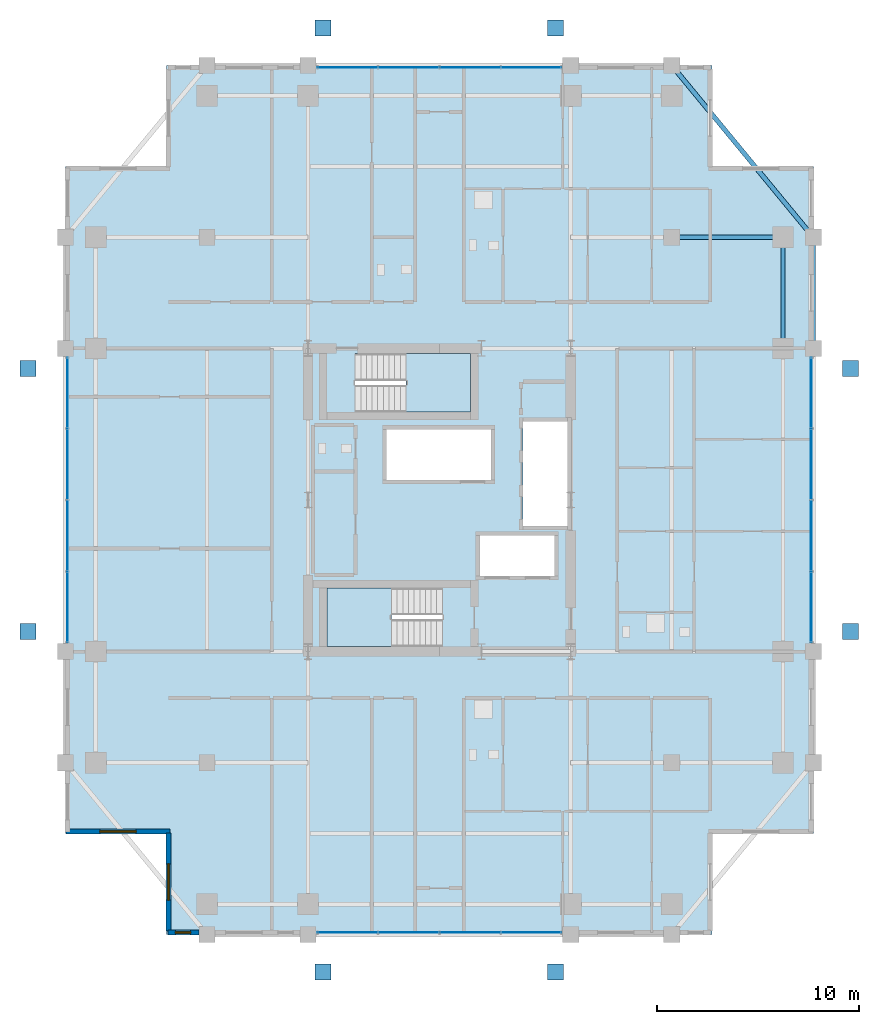
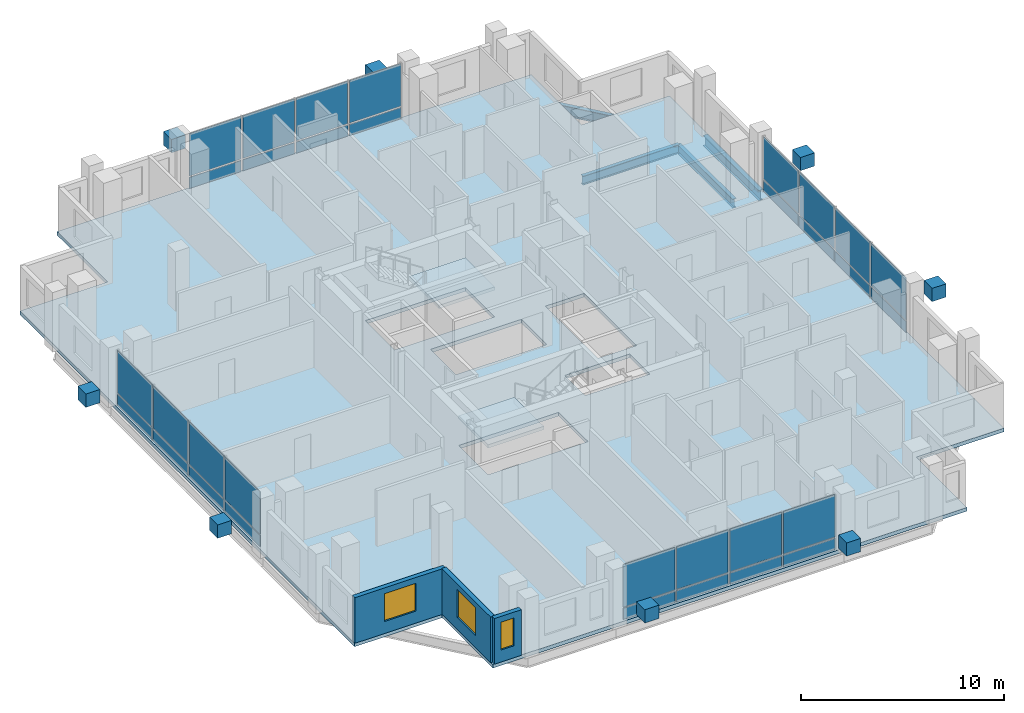
# One storey, part 17 of 24: 40 plates, 4 beams, 3 slabs, 3 walls, 3 windows, 3 openings, 6 elements without a shape of their own.
"""IFC4 building model written with IfcOpenShell, lengths in metres."""

from ifc_helpers import new_model, si_unit, direction, frame, frame_2d, origin, origin_2d, place, context, subcontext, project, spatial, polyline, rectangle, i_section, outline, extrude, material, layer, layer_set, material_profile, profile_set, type_object, element, fill, aggregate, save


model = new_model("IFC4")

# Units and contexts
model_context = context("Model", 3, precision=1e-05, world=origin(), true_north=direction((0.0, 1.0)))
body_context = subcontext(model_context, "Body", "Model", "MODEL_VIEW")
ifc_project = project(units=[si_unit("LENGTHUNIT", "METRE"), si_unit("AREAUNIT", "SQUARE_METRE"), si_unit("VOLUMEUNIT", "CUBIC_METRE"), si_unit("PLANEANGLEUNIT", "RADIAN"), si_unit("MASSUNIT", "GRAM", prefix="KILO")], contexts=[model_context])

# Site, building, storey
site_placement = place(None, origin())
site = spatial("IfcSite", under=ifc_project, at=site_placement, CompositionType="ELEMENT")
building_placement = place(site_placement, origin())
building = spatial("IfcBuilding", under=site, at=building_placement, Name="Barlavira Tower and Art Museum", CompositionType="ELEMENT")
storey_placement = place(building_placement, frame((0.0, 0.0, 180.0)))
storey = spatial("IfcBuildingStorey", under=building, at=storey_placement, Name="L46", CompositionType="ELEMENT", Elevation=180.0)

# Beams
ifc_material_1 = material(Name="Steel S355", Category="steel")
ifc_material_profile_1 = material_profile(ifc_material_1, i_section(OverallWidth=0.22998046875, OverallDepth=0.616943359375, WebThickness=0.01318359375, FlangeThickness=0.022216796875, at=origin_2d()), Name="W610x140.0")
ifc_profile_set_1 = profile_set([ifc_material_profile_1], Name="Steel S355")
beam_type_1 = type_object("IfcBeamType", Name="Upper Shaft Spandrel Edge Beam W610x140 Steel S355", PredefinedType="SPANDREL", material=ifc_profile_set_1)
beam_1_placement = place(storey_placement, frame((18.5, 7.5, -0.528564453125), z_axis=(0.0, 1.0, 0.0), x_axis=(-1.0, 0.0, 0.0)))
element("IfcBeam", 1, at=beam_1_placement, inside=storey, type_object=beam_type_1, Name="L46 Spandrel 7", PredefinedType="SPANDREL", context=body_context, shape_type="SweptSolid", body=[
    extrude(i_section(OverallWidth=0.22998046875, OverallDepth=0.616943359375, WebThickness=0.01318359375, FlangeThickness=0.022216796875, at=origin_2d()), origin(), (0.0, 0.0, 1.0), 5.5),
])
beam_2_placement = place(storey_placement, frame((18.5, 13.0, -0.528564453125), z_axis=(-0.635707252861, 0.771930235617, 0.0), x_axis=(-0.771930235617, -0.635707252861, 0.0)))
element("IfcBeam", 2, at=beam_2_placement, inside=storey, type_object=beam_type_1, Name="L46 Spandrel 8", PredefinedType="SPANDREL", context=body_context, shape_type="SweptSolid", body=[
    extrude(i_section(OverallWidth=0.22998046875, OverallDepth=0.616943359375, WebThickness=0.01318359375, FlangeThickness=0.022216796875, at=origin_2d()), origin(), (0.0, 0.0, 1.0), 11.011474609375),
])
ifc_material_profile_2 = material_profile(ifc_material_1, i_section(OverallWidth=0.2109375, OverallDepth=0.5390625, WebThickness=0.01171875, FlangeThickness=0.018798828125, at=origin_2d()), Name="W530x109.0")
ifc_profile_set_2 = profile_set([ifc_material_profile_2], Name="Steel S355")
beam_type_2 = type_object("IfcBeamType", Name="Zone 3-4 Primary Floor Girder W530x109 Steel S355", PredefinedType="BEAM", material=ifc_profile_set_2)
for number, where, z_axis, x_axis, name in (
    (3, (17.0, 7.5, -0.489501953125), (0.0, 1.0, 0.0), (-1.0, 0.0, 0.0), "L46 Girder M-E3"),
    (4, (11.5, 13.0, -0.489501953125), (1.0, 0.0, 0.0), (0.0, 1.0, 0.0), "L46 Girder I-N4"),
):
    element("IfcBeam", number, at=place(storey_placement, frame(where, z_axis=z_axis, x_axis=x_axis)), inside=storey, type_object=beam_type_2, Name=name, PredefinedType="BEAM", context=body_context, shape_type="SweptSolid", body=[
        extrude(i_section(OverallWidth=0.2109375, OverallDepth=0.5390625, WebThickness=0.01171875, FlangeThickness=0.018798828125, at=origin_2d()), origin(), (0.0, 0.0, 1.0), 5.5),
    ])

# Curtain wall, plates
ifc_material_2 = material(Name="Low-iron coastal laminated glass", Category="glass")
ifc_layer_1 = layer(ifc_material_2, 0.199951171875, Name="Low-iron coastal laminated glass")
ifc_layer_set_1 = layer_set([ifc_layer_1], Name="Low-iron coastal laminated glass")
curtain_wall_type = type_object("IfcCurtainWallType", Name="Pale-Metal Unitised Curtain Wall Zone 3", PredefinedType="NOTDEFINED", material=ifc_layer_set_1)
curtain_wall_1_placement = place(storey_placement, origin())
curtain_wall_1 = element("IfcCurtainWall", 5, at=curtain_wall_1_placement, inside=storey, type_object=curtain_wall_type, Name="L46 Curtain Wall CW3-L46-S-B3", PredefinedType="NOTDEFINED")
ifc_material_3 = material(Name="Pale anodised aluminium", Category="aluminium")
ifc_layer_2 = layer(ifc_material_3, 0.044921875, Name="Pale anodised aluminium")
ifc_layer_set_2 = layer_set([ifc_layer_2], Name="Pale anodised aluminium")
plate_type_1 = type_object("IfcPlateType", Name="Curtain Wall Pale-Metal Spandrel Panel 45", PredefinedType="CURTAIN_PANEL", material=ifc_layer_set_2)
plate_1_placement = place(storey_placement, frame((-4.56005859375, -21.39990234375, 0.0400390625), z_axis=(0.0, 0.0, 1.0), x_axis=(1.0, 0.0, 0.0)))
plate_1 = element("IfcPlate", 6, at=plate_1_placement, type_object=plate_type_1, Name="CW3-L46-S-B3 Spandrel Panel 0", PredefinedType="CURTAIN_PANEL", context=body_context, shape_type="SweptSolid", body=[
    extrude(rectangle(XDim=2.93994140625, YDim=0.044921875, at=origin_2d()), origin(), (0.0, 0.0, 1.0), 0.6640625),
])
plate_2_placement = place(storey_placement, frame((-1.52001953125, -21.39990234375, 0.0400390625), z_axis=(0.0, 0.0, 1.0), x_axis=(1.0, 0.0, 0.0)))
plate_2 = element("IfcPlate", 7, at=plate_2_placement, type_object=plate_type_1, Name="CW3-L46-S-B3 Spandrel Panel 1", PredefinedType="CURTAIN_PANEL", context=body_context, shape_type="SweptSolid", body=[
    extrude(rectangle(XDim=2.93994140625, YDim=0.044921875, at=origin_2d()), origin(), (0.0, 0.0, 1.0), 0.6640625),
])
plate_3_placement = place(storey_placement, frame((1.52001953125, -21.39990234375, 0.0400390625), z_axis=(0.0, 0.0, 1.0), x_axis=(1.0, 0.0, 0.0)))
plate_3 = element("IfcPlate", 8, at=plate_3_placement, type_object=plate_type_1, Name="CW3-L46-S-B3 Spandrel Panel 2", PredefinedType="CURTAIN_PANEL", context=body_context, shape_type="SweptSolid", body=[
    extrude(rectangle(XDim=2.93994140625, YDim=0.044921875, at=origin_2d()), origin(), (0.0, 0.0, 1.0), 0.6640625),
])
plate_4_placement = place(storey_placement, frame((4.56005859375, -21.39990234375, 0.0400390625), z_axis=(0.0, 0.0, 1.0), x_axis=(1.0, 0.0, 0.0)))
plate_4 = element("IfcPlate", 9, at=plate_4_placement, type_object=plate_type_1, Name="CW3-L46-S-B3 Spandrel Panel 3", PredefinedType="CURTAIN_PANEL", context=body_context, shape_type="SweptSolid", body=[
    extrude(rectangle(XDim=2.93994140625, YDim=0.044921875, at=origin_2d()), origin(), (0.0, 0.0, 1.0), 0.6640625),
])

curtain_wall_2_placement = place(storey_placement, origin())
curtain_wall_2 = element("IfcCurtainWall", 10, at=curtain_wall_2_placement, inside=storey, type_object=curtain_wall_type, Name="L46 Curtain Wall CW3-L46-N-B3", PredefinedType="NOTDEFINED")
plate_5_placement = place(storey_placement, frame((4.56005859375, 21.39990234375, 0.0400390625), z_axis=(0.0, 0.0, 1.0), x_axis=(-1.0, 0.0, 0.0)))
plate_5 = element("IfcPlate", 11, at=plate_5_placement, type_object=plate_type_1, Name="CW3-L46-N-B3 Spandrel Panel 0", PredefinedType="CURTAIN_PANEL", context=body_context, shape_type="SweptSolid", body=[
    extrude(rectangle(XDim=2.93994140625, YDim=0.044921875, at=origin_2d()), origin(), (0.0, 0.0, 1.0), 0.6640625),
])
plate_6_placement = place(storey_placement, frame((1.52001953125, 21.39990234375, 0.0400390625), z_axis=(0.0, 0.0, 1.0), x_axis=(-1.0, 0.0, 0.0)))
plate_6 = element("IfcPlate", 12, at=plate_6_placement, type_object=plate_type_1, Name="CW3-L46-N-B3 Spandrel Panel 1", PredefinedType="CURTAIN_PANEL", context=body_context, shape_type="SweptSolid", body=[
    extrude(rectangle(XDim=2.93994140625, YDim=0.044921875, at=origin_2d()), origin(), (0.0, 0.0, 1.0), 0.6640625),
])
plate_7_placement = place(storey_placement, frame((-1.52001953125, 21.39990234375, 0.0400390625), z_axis=(0.0, 0.0, 1.0), x_axis=(-1.0, 0.0, 0.0)))
plate_7 = element("IfcPlate", 13, at=plate_7_placement, type_object=plate_type_1, Name="CW3-L46-N-B3 Spandrel Panel 2", PredefinedType="CURTAIN_PANEL", context=body_context, shape_type="SweptSolid", body=[
    extrude(rectangle(XDim=2.93994140625, YDim=0.044921875, at=origin_2d()), origin(), (0.0, 0.0, 1.0), 0.6640625),
])
plate_8_placement = place(storey_placement, frame((-4.56005859375, 21.39990234375, 0.0400390625), z_axis=(0.0, 0.0, 1.0), x_axis=(-1.0, 0.0, 0.0)))
plate_8 = element("IfcPlate", 14, at=plate_8_placement, type_object=plate_type_1, Name="CW3-L46-N-B3 Spandrel Panel 3", PredefinedType="CURTAIN_PANEL", context=body_context, shape_type="SweptSolid", body=[
    extrude(rectangle(XDim=2.93994140625, YDim=0.044921875, at=origin_2d()), origin(), (0.0, 0.0, 1.0), 0.6640625),
])

curtain_wall_3_placement = place(storey_placement, origin())
curtain_wall_3 = element("IfcCurtainWall", 15, at=curtain_wall_3_placement, inside=storey, type_object=curtain_wall_type, Name="L46 Curtain Wall CW3-L46-W-B3", PredefinedType="NOTDEFINED")
plate_9_placement = place(storey_placement, frame((-18.39990234375, 5.31005859375, 0.0400390625), z_axis=(0.0, 0.0, 1.0), x_axis=(0.0, -1.0, 0.0)))
plate_9 = element("IfcPlate", 16, at=plate_9_placement, type_object=plate_type_1, Name="CW3-L46-W-B3 Spandrel Panel 0", PredefinedType="CURTAIN_PANEL", context=body_context, shape_type="SweptSolid", body=[
    extrude(rectangle(XDim=3.43994140625, YDim=0.044921875, at=origin_2d()), origin(), (0.0, 0.0, 1.0), 0.6640625),
])
plate_10_placement = place(storey_placement, frame((-18.39990234375, 1.77001953125, 0.0400390625), z_axis=(0.0, 0.0, 1.0), x_axis=(0.0, -1.0, 0.0)))
plate_10 = element("IfcPlate", 17, at=plate_10_placement, type_object=plate_type_1, Name="CW3-L46-W-B3 Spandrel Panel 1", PredefinedType="CURTAIN_PANEL", context=body_context, shape_type="SweptSolid", body=[
    extrude(rectangle(XDim=3.43994140625, YDim=0.044921875, at=origin_2d()), origin(), (0.0, 0.0, 1.0), 0.6640625),
])
plate_11_placement = place(storey_placement, frame((-18.39990234375, -1.77001953125, 0.0400390625), z_axis=(0.0, 0.0, 1.0), x_axis=(0.0, -1.0, 0.0)))
plate_11 = element("IfcPlate", 18, at=plate_11_placement, type_object=plate_type_1, Name="CW3-L46-W-B3 Spandrel Panel 2", PredefinedType="CURTAIN_PANEL", context=body_context, shape_type="SweptSolid", body=[
    extrude(rectangle(XDim=3.43994140625, YDim=0.044921875, at=origin_2d()), origin(), (0.0, 0.0, 1.0), 0.6640625),
])
plate_12_placement = place(storey_placement, frame((-18.39990234375, -5.31005859375, 0.0400390625), z_axis=(0.0, 0.0, 1.0), x_axis=(0.0, -1.0, 0.0)))
plate_12 = element("IfcPlate", 19, at=plate_12_placement, type_object=plate_type_1, Name="CW3-L46-W-B3 Spandrel Panel 3", PredefinedType="CURTAIN_PANEL", context=body_context, shape_type="SweptSolid", body=[
    extrude(rectangle(XDim=3.43994140625, YDim=0.044921875, at=origin_2d()), origin(), (0.0, 0.0, 1.0), 0.6640625),
])

curtain_wall_4_placement = place(storey_placement, origin())
curtain_wall_4 = element("IfcCurtainWall", 20, at=curtain_wall_4_placement, inside=storey, type_object=curtain_wall_type, Name="L46 Curtain Wall CW3-L46-E-B3", PredefinedType="NOTDEFINED")
plate_13_placement = place(storey_placement, frame((18.39990234375, -5.31005859375, 0.0400390625), z_axis=(0.0, 0.0, 1.0), x_axis=(0.0, 1.0, 0.0)))
plate_13 = element("IfcPlate", 21, at=plate_13_placement, type_object=plate_type_1, Name="CW3-L46-E-B3 Spandrel Panel 0", PredefinedType="CURTAIN_PANEL", context=body_context, shape_type="SweptSolid", body=[
    extrude(rectangle(XDim=3.43994140625, YDim=0.044921875, at=origin_2d()), origin(), (0.0, 0.0, 1.0), 0.6640625),
])
plate_14_placement = place(storey_placement, frame((18.39990234375, -1.77001953125, 0.0400390625), z_axis=(0.0, 0.0, 1.0), x_axis=(0.0, 1.0, 0.0)))
plate_14 = element("IfcPlate", 22, at=plate_14_placement, type_object=plate_type_1, Name="CW3-L46-E-B3 Spandrel Panel 1", PredefinedType="CURTAIN_PANEL", context=body_context, shape_type="SweptSolid", body=[
    extrude(rectangle(XDim=3.43994140625, YDim=0.044921875, at=origin_2d()), origin(), (0.0, 0.0, 1.0), 0.6640625),
])
plate_15_placement = place(storey_placement, frame((18.39990234375, 1.77001953125, 0.0400390625), z_axis=(0.0, 0.0, 1.0), x_axis=(0.0, 1.0, 0.0)))
plate_15 = element("IfcPlate", 23, at=plate_15_placement, type_object=plate_type_1, Name="CW3-L46-E-B3 Spandrel Panel 2", PredefinedType="CURTAIN_PANEL", context=body_context, shape_type="SweptSolid", body=[
    extrude(rectangle(XDim=3.43994140625, YDim=0.044921875, at=origin_2d()), origin(), (0.0, 0.0, 1.0), 0.6640625),
])
plate_16_placement = place(storey_placement, frame((18.39990234375, 5.31005859375, 0.0400390625), z_axis=(0.0, 0.0, 1.0), x_axis=(0.0, 1.0, 0.0)))
plate_16 = element("IfcPlate", 24, at=plate_16_placement, type_object=plate_type_1, Name="CW3-L46-E-B3 Spandrel Panel 3", PredefinedType="CURTAIN_PANEL", context=body_context, shape_type="SweptSolid", body=[
    extrude(rectangle(XDim=3.43994140625, YDim=0.044921875, at=origin_2d()), origin(), (0.0, 0.0, 1.0), 0.6640625),
])

# Plate
ifc_layer_3 = layer(ifc_material_2, 0.028076171875, Name="Low-iron coastal laminated glass")
ifc_layer_set_3 = layer_set([ifc_layer_3], Name="Low-iron coastal laminated glass")
plate_type_2 = type_object("IfcPlateType", Name="Curtain Wall Vision Glazing Panel 28", PredefinedType="CURTAIN_PANEL", material=ifc_layer_set_3)
plate_17_placement = place(storey_placement, frame((-4.56005859375, -21.39990234375, 0.7841796875), z_axis=(0.0, 0.0, 1.0), x_axis=(1.0, 0.0, 0.0)))
plate_17 = element("IfcPlate", 25, at=plate_17_placement, type_object=plate_type_2, Name="CW3-L46-S-B3 Vision Glass Panel 0", PredefinedType="CURTAIN_PANEL", context=body_context, shape_type="SweptSolid", body=[
    extrude(rectangle(XDim=2.93994140625, YDim=0.028076171875, at=origin_2d()), origin(), (0.0, 0.0, 1.0), 2.555908203125),
])

plate_18_placement = place(storey_placement, frame((-1.52001953125, -21.39990234375, 0.7841796875), z_axis=(0.0, 0.0, 1.0), x_axis=(1.0, 0.0, 0.0)))
plate_18 = element("IfcPlate", 26, at=plate_18_placement, type_object=plate_type_2, Name="CW3-L46-S-B3 Vision Glass Panel 1", PredefinedType="CURTAIN_PANEL", context=body_context, shape_type="SweptSolid", body=[
    extrude(rectangle(XDim=2.93994140625, YDim=0.028076171875, at=origin_2d()), origin(), (0.0, 0.0, 1.0), 2.555908203125),
])

plate_19_placement = place(storey_placement, frame((1.52001953125, -21.39990234375, 0.7841796875), z_axis=(0.0, 0.0, 1.0), x_axis=(1.0, 0.0, 0.0)))
plate_19 = element("IfcPlate", 27, at=plate_19_placement, type_object=plate_type_2, Name="CW3-L46-S-B3 Vision Glass Panel 2", PredefinedType="CURTAIN_PANEL", context=body_context, shape_type="SweptSolid", body=[
    extrude(rectangle(XDim=2.93994140625, YDim=0.028076171875, at=origin_2d()), origin(), (0.0, 0.0, 1.0), 2.555908203125),
])

plate_20_placement = place(storey_placement, frame((4.56005859375, -21.39990234375, 0.7841796875), z_axis=(0.0, 0.0, 1.0), x_axis=(1.0, 0.0, 0.0)))
plate_20 = element("IfcPlate", 28, at=plate_20_placement, type_object=plate_type_2, Name="CW3-L46-S-B3 Vision Glass Panel 3", PredefinedType="CURTAIN_PANEL", context=body_context, shape_type="SweptSolid", body=[
    extrude(rectangle(XDim=2.93994140625, YDim=0.028076171875, at=origin_2d()), origin(), (0.0, 0.0, 1.0), 2.555908203125),
])

aggregate(curtain_wall_1, [plate_1, plate_17, plate_2, plate_18, plate_3, plate_19, plate_4, plate_20])

plate_21_placement = place(storey_placement, frame((4.56005859375, 21.39990234375, 0.7841796875), z_axis=(0.0, 0.0, 1.0), x_axis=(-1.0, 0.0, 0.0)))
plate_21 = element("IfcPlate", 29, at=plate_21_placement, type_object=plate_type_2, Name="CW3-L46-N-B3 Vision Glass Panel 0", PredefinedType="CURTAIN_PANEL", context=body_context, shape_type="SweptSolid", body=[
    extrude(rectangle(XDim=2.93994140625, YDim=0.028076171875, at=origin_2d()), origin(), (0.0, 0.0, 1.0), 2.555908203125),
])

plate_22_placement = place(storey_placement, frame((1.52001953125, 21.39990234375, 0.7841796875), z_axis=(0.0, 0.0, 1.0), x_axis=(-1.0, 0.0, 0.0)))
plate_22 = element("IfcPlate", 30, at=plate_22_placement, type_object=plate_type_2, Name="CW3-L46-N-B3 Vision Glass Panel 1", PredefinedType="CURTAIN_PANEL", context=body_context, shape_type="SweptSolid", body=[
    extrude(rectangle(XDim=2.93994140625, YDim=0.028076171875, at=origin_2d()), origin(), (0.0, 0.0, 1.0), 2.555908203125),
])

plate_23_placement = place(storey_placement, frame((-1.52001953125, 21.39990234375, 0.7841796875), z_axis=(0.0, 0.0, 1.0), x_axis=(-1.0, 0.0, 0.0)))
plate_23 = element("IfcPlate", 31, at=plate_23_placement, type_object=plate_type_2, Name="CW3-L46-N-B3 Vision Glass Panel 2", PredefinedType="CURTAIN_PANEL", context=body_context, shape_type="SweptSolid", body=[
    extrude(rectangle(XDim=2.93994140625, YDim=0.028076171875, at=origin_2d()), origin(), (0.0, 0.0, 1.0), 2.555908203125),
])

plate_24_placement = place(storey_placement, frame((-4.56005859375, 21.39990234375, 0.7841796875), z_axis=(0.0, 0.0, 1.0), x_axis=(-1.0, 0.0, 0.0)))
plate_24 = element("IfcPlate", 32, at=plate_24_placement, type_object=plate_type_2, Name="CW3-L46-N-B3 Vision Glass Panel 3", PredefinedType="CURTAIN_PANEL", context=body_context, shape_type="SweptSolid", body=[
    extrude(rectangle(XDim=2.93994140625, YDim=0.028076171875, at=origin_2d()), origin(), (0.0, 0.0, 1.0), 2.555908203125),
])

aggregate(curtain_wall_2, [plate_5, plate_21, plate_6, plate_22, plate_7, plate_23, plate_8, plate_24])

plate_25_placement = place(storey_placement, frame((-18.39990234375, 5.31005859375, 0.7841796875), z_axis=(0.0, 0.0, 1.0), x_axis=(0.0, -1.0, 0.0)))
plate_25 = element("IfcPlate", 33, at=plate_25_placement, type_object=plate_type_2, Name="CW3-L46-W-B3 Vision Glass Panel 0", PredefinedType="CURTAIN_PANEL", context=body_context, shape_type="SweptSolid", body=[
    extrude(rectangle(XDim=3.43994140625, YDim=0.028076171875, at=origin_2d()), origin(), (0.0, 0.0, 1.0), 2.555908203125),
])

plate_26_placement = place(storey_placement, frame((-18.39990234375, 1.77001953125, 0.7841796875), z_axis=(0.0, 0.0, 1.0), x_axis=(0.0, -1.0, 0.0)))
plate_26 = element("IfcPlate", 34, at=plate_26_placement, type_object=plate_type_2, Name="CW3-L46-W-B3 Vision Glass Panel 1", PredefinedType="CURTAIN_PANEL", context=body_context, shape_type="SweptSolid", body=[
    extrude(rectangle(XDim=3.43994140625, YDim=0.028076171875, at=origin_2d()), origin(), (0.0, 0.0, 1.0), 2.555908203125),
])

plate_27_placement = place(storey_placement, frame((-18.39990234375, -1.77001953125, 0.7841796875), z_axis=(0.0, 0.0, 1.0), x_axis=(0.0, -1.0, 0.0)))
plate_27 = element("IfcPlate", 35, at=plate_27_placement, type_object=plate_type_2, Name="CW3-L46-W-B3 Vision Glass Panel 2", PredefinedType="CURTAIN_PANEL", context=body_context, shape_type="SweptSolid", body=[
    extrude(rectangle(XDim=3.43994140625, YDim=0.028076171875, at=origin_2d()), origin(), (0.0, 0.0, 1.0), 2.555908203125),
])

plate_28_placement = place(storey_placement, frame((-18.39990234375, -5.31005859375, 0.7841796875), z_axis=(0.0, 0.0, 1.0), x_axis=(0.0, -1.0, 0.0)))
plate_28 = element("IfcPlate", 36, at=plate_28_placement, type_object=plate_type_2, Name="CW3-L46-W-B3 Vision Glass Panel 3", PredefinedType="CURTAIN_PANEL", context=body_context, shape_type="SweptSolid", body=[
    extrude(rectangle(XDim=3.43994140625, YDim=0.028076171875, at=origin_2d()), origin(), (0.0, 0.0, 1.0), 2.555908203125),
])

aggregate(curtain_wall_3, [plate_9, plate_25, plate_10, plate_26, plate_11, plate_27, plate_12, plate_28])

plate_29_placement = place(storey_placement, frame((18.39990234375, -5.31005859375, 0.7841796875), z_axis=(0.0, 0.0, 1.0), x_axis=(0.0, 1.0, 0.0)))
plate_29 = element("IfcPlate", 37, at=plate_29_placement, type_object=plate_type_2, Name="CW3-L46-E-B3 Vision Glass Panel 0", PredefinedType="CURTAIN_PANEL", context=body_context, shape_type="SweptSolid", body=[
    extrude(rectangle(XDim=3.43994140625, YDim=0.028076171875, at=origin_2d()), origin(), (0.0, 0.0, 1.0), 2.555908203125),
])

plate_30_placement = place(storey_placement, frame((18.39990234375, -1.77001953125, 0.7841796875), z_axis=(0.0, 0.0, 1.0), x_axis=(0.0, 1.0, 0.0)))
plate_30 = element("IfcPlate", 38, at=plate_30_placement, type_object=plate_type_2, Name="CW3-L46-E-B3 Vision Glass Panel 1", PredefinedType="CURTAIN_PANEL", context=body_context, shape_type="SweptSolid", body=[
    extrude(rectangle(XDim=3.43994140625, YDim=0.028076171875, at=origin_2d()), origin(), (0.0, 0.0, 1.0), 2.555908203125),
])

plate_31_placement = place(storey_placement, frame((18.39990234375, 1.77001953125, 0.7841796875), z_axis=(0.0, 0.0, 1.0), x_axis=(0.0, 1.0, 0.0)))
plate_31 = element("IfcPlate", 39, at=plate_31_placement, type_object=plate_type_2, Name="CW3-L46-E-B3 Vision Glass Panel 2", PredefinedType="CURTAIN_PANEL", context=body_context, shape_type="SweptSolid", body=[
    extrude(rectangle(XDim=3.43994140625, YDim=0.028076171875, at=origin_2d()), origin(), (0.0, 0.0, 1.0), 2.555908203125),
])

plate_32_placement = place(storey_placement, frame((18.39990234375, 5.31005859375, 0.7841796875), z_axis=(0.0, 0.0, 1.0), x_axis=(0.0, 1.0, 0.0)))
plate_32 = element("IfcPlate", 40, at=plate_32_placement, type_object=plate_type_2, Name="CW3-L46-E-B3 Vision Glass Panel 3", PredefinedType="CURTAIN_PANEL", context=body_context, shape_type="SweptSolid", body=[
    extrude(rectangle(XDim=3.43994140625, YDim=0.028076171875, at=origin_2d()), origin(), (0.0, 0.0, 1.0), 2.555908203125),
])

aggregate(curtain_wall_4, [plate_13, plate_29, plate_14, plate_30, plate_15, plate_31, plate_16, plate_32])

# Plates
ifc_layer_4 = layer(ifc_material_1, 0.800048828125, Name="Steel S355")
ifc_layer_set_4 = layer_set([ifc_layer_4], Name="Steel S355")
plate_type_3 = type_object("IfcPlateType", Name="Exoskeleton Solid Steel Node Cap Plate Assembly Type 3 Steel S355", PredefinedType="USERDEFINED", material=ifc_layer_set_4)
for number, where, z_axis, x_axis, name in (
    (41, (-5.75, -23.35009765625, 1.27978515625), (0.0, 0.0, 1.0), (1.0, 0.0, 0.0), "Exoskeleton Diamond Node S1 ND-L46-0488"),
    (42, (5.75, -23.35009765625, 1.27978515625), (0.0, 0.0, 1.0), (1.0, 0.0, 0.0), "Exoskeleton Diamond Node S2 ND-L46-0489"),
    (43, (-5.75, 23.35009765625, 1.27978515625), (0.0, 0.0, 1.0), (1.0, 0.0, 0.0), "Exoskeleton Diamond Node N1 ND-L46-0496"),
    (44, (5.75, 23.35009765625, 1.27978515625), (0.0, 0.0, 1.0), (1.0, 0.0, 0.0), "Exoskeleton Diamond Node N2 ND-L46-0497"),
    (45, (-20.35009765625, -6.5, 1.27978515625), (0.0, 0.0, 1.0), (1.0, 0.0, 0.0), "Exoskeleton Diamond Node W1 ND-L46-0504"),
    (46, (-20.35009765625, 6.5, 1.27978515625), (0.0, 0.0, 1.0), (1.0, 0.0, 0.0), "Exoskeleton Diamond Node W2 ND-L46-0505"),
    (47, (20.35009765625, -6.5, 1.27978515625), (0.0, 0.0, 1.0), (1.0, 0.0, 0.0), "Exoskeleton Diamond Node E1 ND-L46-0512"),
    (48, (20.35009765625, 6.5, 1.27978515625), (0.0, 0.0, 1.0), (1.0, 0.0, 0.0), "Exoskeleton Diamond Node E2 ND-L46-0513"),
):
    element("IfcPlate", number, at=place(storey_placement, frame(where, z_axis=z_axis, x_axis=x_axis)), inside=storey, type_object=plate_type_3, Name=name, ObjectType="FLANGE_PLATE", PredefinedType="USERDEFINED", context=body_context, shape_type="SweptSolid", body=[
        extrude(rectangle(XDim=0.800048828125, YDim=0.800048828125, at=origin_2d()), origin(), (0.0, 0.0, 1.0), 0.800048828125),
    ])

# Stair, slab
ifc_material_4 = material(Name="Concrete C45", Category="concrete")
stair_type_1 = type_object("IfcStairType", Name="Tower North Dog-Leg Exit Stair Assembly Concrete C45", PredefinedType="TWO_QUARTER_TURN_STAIR", material=ifc_material_4)
stair_1_placement = place(storey_placement, origin())
stair_1 = element("IfcStair", 49, at=stair_1_placement, inside=storey, type_object=stair_type_1, Name="L46 Tower North Exit Stair ST-T2", PredefinedType="TWO_QUARTER_TURN_STAIR")
ifc_layer_5 = layer(ifc_material_4, 0.199951171875, Name="Concrete C45")
ifc_layer_set_5 = layer_set([ifc_layer_5], Name="Concrete C45")
slab_type_1 = type_object("IfcSlabType", Name="Tower North Dog-Leg Exit Stair Half-Landing Slab 200 Concrete C45", PredefinedType="LANDING", material=ifc_layer_set_5)
slab_1_placement = place(storey_placement, frame((0.0, 0.0, 1.60009765625)))
slab_1 = element("IfcSlab", 50, at=slab_1_placement, type_object=slab_type_1, Name="ST-T2 landing 1", PredefinedType="LANDING", context=body_context, shape_type="SweptSolid", body=[
    extrude(outline(polyline([(-1.64990234375, 4.35009765625), (1.530029296875, 4.35009765625), (1.530029296875, 7.25), (-1.64990234375, 7.25), (-1.64990234375, 4.35009765625)])), origin(), (0.0, 0.0, 1.0), 0.199951171875),
])
aggregate(stair_1, [slab_1])

stair_type_2 = type_object("IfcStairType", Name="Tower South Dog-Leg Exit Stair Assembly Concrete C45", PredefinedType="TWO_QUARTER_TURN_STAIR", material=ifc_material_4)
stair_2_placement = place(storey_placement, origin())
stair_2 = element("IfcStair", 51, at=stair_2_placement, inside=storey, type_object=stair_type_2, Name="L46 Tower South Exit Stair ST-T1", PredefinedType="TWO_QUARTER_TURN_STAIR")
ifc_layer_6 = layer(ifc_material_4, 0.199951171875, Name="Concrete C45")
ifc_layer_set_6 = layer_set([ifc_layer_6], Name="Concrete C45")
slab_type_2 = type_object("IfcSlabType", Name="Tower South Dog-Leg Exit Stair Half-Landing Slab 200 Concrete C45", PredefinedType="LANDING", material=ifc_layer_set_6)
slab_2_placement = place(storey_placement, frame((0.0, 0.0, 1.60009765625)))
slab_2 = element("IfcSlab", 52, at=slab_2_placement, type_object=slab_type_2, Name="ST-T1 landing 1", PredefinedType="LANDING", context=body_context, shape_type="SweptSolid", body=[
    extrude(outline(polyline([(-2.3701171875, -4.35009765625), (-5.550048828125, -4.35009765625), (-5.550048828125, -7.25), (-2.3701171875, -7.25), (-2.3701171875, -4.35009765625)])), origin(), (0.0, 0.0, 1.0), 0.199951171875),
])
aggregate(stair_2, [slab_2])

# Slab
ifc_material_5 = material(Name="Concrete C50", Category="concrete")
ifc_layer_7 = layer(ifc_material_5, 0.199951171875, Name="Concrete C50")
ifc_layer_set_7 = layer_set([ifc_layer_7], Name="Concrete C50")
slab_type_3 = type_object("IfcSlabType", Name="Zone 3 Residential Composite Slab 200 Concrete C50", PredefinedType="FLOOR", material=ifc_layer_set_7)
slab_3_placement = place(storey_placement, frame((0.0, 0.0, -0.219970703125)))
element("IfcSlab", 53, at=slab_3_placement, inside=storey, type_object=slab_type_3, Name="L46 Tower Floor Slab", PredefinedType="FLOOR", context=body_context, shape_type="SweptSolid", body=[
    extrude(outline(polyline([(-13.5, -21.5), (13.5, -21.5), (13.5, -16.5), (18.5, -16.5), (18.5, 16.5), (13.5, 16.5), (13.5, 21.5), (-13.5, 21.5), (-13.5, 16.5), (-18.5, 16.5), (-18.5, -16.5), (-13.5, -16.5), (-13.5, -21.5)]), holes=[polyline([(0.14990234375, -4.35009765625), (-5.550048828125, -4.35009765625), (-5.550048828125, -7.25), (0.14990234375, -7.25), (0.14990234375, -4.35009765625)]), polyline([(-4.169921875, 4.35009765625), (1.530029296875, 4.35009765625), (1.530029296875, 7.25), (-4.169921875, 7.25), (-4.169921875, 4.35009765625)]), polyline([(4.14990234375, -1.2900390625), (6.35009765625, -1.2900390625), (6.35009765625, 3.889892578125), (4.14990234375, 3.889892578125), (4.14990234375, -1.2900390625)]), polyline([(-2.6201171875, 1.0), (2.56005859375, 1.0), (2.56005859375, 3.5), (-2.6201171875, 3.5), (-2.6201171875, 1.0)]), polyline([(2.0, -3.75), (5.699951171875, -3.75), (5.699951171875, -1.75), (2.0, -1.75), (2.0, -3.75)])]), origin(), (0.0, 0.0, 1.0), 0.219970703125),
])

# Wall, opening, window
ifc_material_6 = material(Name="Precast concrete C40", Category="concrete")
ifc_layer_8 = layer(ifc_material_6, 0.25, Name="Precast concrete C40")
ifc_layer_set_8 = layer_set([ifc_layer_8], Name="Precast concrete C40")
wall_type = type_object("IfcWallType", Name="Notched Corner Spandrel Wall 250 Precast Concrete C40", PredefinedType="SOLIDWALL", material=ifc_layer_set_8)
wall_1_placement = place(storey_placement, frame((-13.425048828125, -21.39990234375, 0.0), z_axis=(0.0, 0.0, 1.0), x_axis=(1.0, 0.0, 0.0)))
wall_1 = element("IfcWall", 54, at=wall_1_placement, inside=storey, type_object=wall_type, Name="L46 Coastal Facade Pier Wall CW3-L46-S-1", PredefinedType="SOLIDWALL", context=body_context, shape_type="SweptSolid", body=[
    extrude(rectangle(XDim=1.530029296875, YDim=0.25, at=frame_2d((0.76513671875, 0.0))), origin(), (0.0, 0.0, 1.0), 2.748046875),
])
opening_1_placement = place(wall_1_placement, frame((0.363037109375, 0.0, 0.719970703125)))
opening_1 = element("IfcOpeningElement", 55, at=opening_1_placement, cuts=wall_1, Name="Opening WN-06", PredefinedType="OPENING", context=body_context, shape_type="SweptSolid", body=[
    extrude(rectangle(XDim=0.760009765625, YDim=1.679931640625, at=frame_2d((0.3798828125, 0.83984375))), frame((0.0, 0.135009765625, 0.0), z_axis=(0.0, -1.0, 0.0), x_axis=(1.0, 0.0, 0.0)), (0.0, 0.0, 1.0), 0.27001953125),
])
window_type_1 = type_object("IfcWindowType", Name="Recessed Narrow Pier Window 760x1680", PartitioningType="SINGLE_PANEL", PredefinedType="WINDOW", material=ifc_material_2)
window_1_placement = place(opening_1_placement, origin())
window_1 = element("IfcWindow", 56, at=window_1_placement, inside=storey, type_object=window_type_1, Name="L46 Punched Facade Window EWP-CW3-L46-S-1-1", OverallHeight=1.679931640625, OverallWidth=0.760009765625, PartitioningType="SINGLE_PANEL", PredefinedType="WINDOW", context=body_context, shape_type="SweptSolid", body=[
    extrude(rectangle(XDim=0.760009765625, YDim=1.679931640625, at=frame_2d((0.3798828125, 0.83984375))), frame((0.0, 0.030029296875, 0.0), z_axis=(0.0, -1.0, 0.0), x_axis=(1.0, 0.0, 0.0)), (0.0, 0.0, 1.0), 0.06005859375),
])
fill(opening_1, window_1)

wall_2_placement = place(storey_placement, frame((-18.47998046875, -16.39990234375, 0.0), z_axis=(0.0, 0.0, 1.0), x_axis=(1.0, 0.0, 0.0)))
wall_2 = element("IfcWall", 57, at=wall_2_placement, inside=storey, type_object=wall_type, Name="L46 Notch Corner Wall SW1", PredefinedType="SOLIDWALL", context=body_context, shape_type="SweptSolid", body=[
    extrude(rectangle(XDim=5.159912109375, YDim=0.25, at=frame_2d((2.580078125, 0.0))), origin(), (0.0, 0.0, 1.0), 2.748046875),
])
opening_2_placement = place(wall_2_placement, frame((1.679931640625, 0.0, 0.719970703125)))
opening_2 = element("IfcOpeningElement", 58, at=opening_2_placement, cuts=wall_2, Name="Opening WN-01", PredefinedType="OPENING", context=body_context, shape_type="SweptSolid", body=[
    extrude(rectangle(XDim=1.800048828125, YDim=1.679931640625, at=frame_2d((0.89990234375, 0.83984375))), frame((0.0, 0.135009765625, 0.0), z_axis=(0.0, -1.0, 0.0), x_axis=(1.0, 0.0, 0.0)), (0.0, 0.0, 1.0), 0.27001953125),
])
window_type_2 = type_object("IfcWindowType", Name="Recessed Notch Corner Punch Window 1800x1680", PartitioningType="SINGLE_PANEL", PredefinedType="WINDOW", material=ifc_material_2)
window_2_placement = place(opening_2_placement, origin())
window_2 = element("IfcWindow", 59, at=window_2_placement, inside=storey, type_object=window_type_2, Name="L46 Punched Facade Window EW-NTC-L46-SW1-1", OverallHeight=1.679931640625, OverallWidth=1.800048828125, PartitioningType="SINGLE_PANEL", PredefinedType="WINDOW", context=body_context, shape_type="SweptSolid", body=[
    extrude(rectangle(XDim=1.800048828125, YDim=1.679931640625, at=frame_2d((0.89990234375, 0.83984375))), frame((0.0, 0.030029296875, 0.0), z_axis=(0.0, -1.0, 0.0), x_axis=(1.0, 0.0, 0.0)), (0.0, 0.0, 1.0), 0.06005859375),
])
fill(opening_2, window_2)

wall_3_placement = place(storey_placement, frame((-13.39990234375, -16.47998046875, 0.0), z_axis=(0.0, 0.0, 1.0), x_axis=(0.0, -1.0, 0.0)))
wall_3 = element("IfcWall", 60, at=wall_3_placement, inside=storey, type_object=wall_type, Name="L46 Notch Corner Wall SW2", PredefinedType="SOLIDWALL", context=body_context, shape_type="SweptSolid", body=[
    extrude(rectangle(XDim=4.840087890625, YDim=0.25, at=frame_2d((2.419921875, 0.0))), origin(), (0.0, 0.0, 1.0), 2.748046875),
])
opening_3_placement = place(wall_3_placement, frame((1.52001953125, 0.0, 0.719970703125)))
opening_3 = element("IfcOpeningElement", 61, at=opening_3_placement, cuts=wall_3, Name="Opening WN-01", PredefinedType="OPENING", context=body_context, shape_type="SweptSolid", body=[
    extrude(rectangle(XDim=1.800048828125, YDim=1.679931640625, at=frame_2d((0.89990234375, 0.83984375))), frame((0.0, 0.135009765625, 0.0), z_axis=(0.0, -1.0, 0.0), x_axis=(1.0, 0.0, 0.0)), (0.0, 0.0, 1.0), 0.27001953125),
])
window_3_placement = place(opening_3_placement, origin())
window_3 = element("IfcWindow", 62, at=window_3_placement, inside=storey, type_object=window_type_2, Name="L46 Punched Facade Window EW-NTC-L46-SW2-1", OverallHeight=1.679931640625, OverallWidth=1.800048828125, PartitioningType="SINGLE_PANEL", PredefinedType="WINDOW", context=body_context, shape_type="SweptSolid", body=[
    extrude(rectangle(XDim=1.800048828125, YDim=1.679931640625, at=frame_2d((0.89990234375, 0.83984375))), frame((0.0, 0.030029296875, 0.0), z_axis=(0.0, -1.0, 0.0), x_axis=(1.0, 0.0, 0.0)), (0.0, 0.0, 1.0), 0.06005859375),
])
fill(opening_3, window_3)

save(model, "model.ifc")
